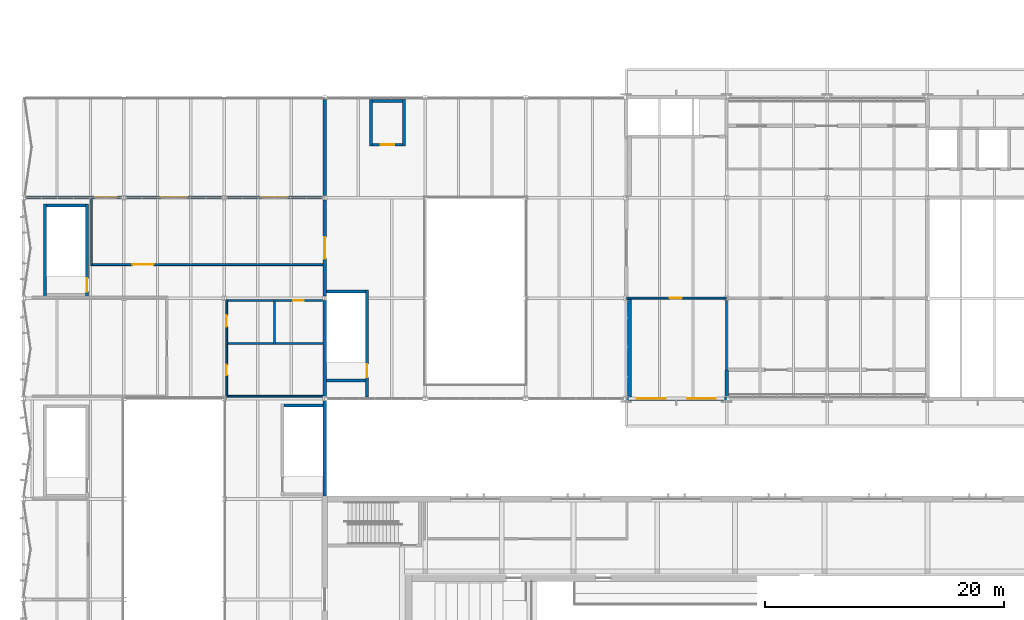
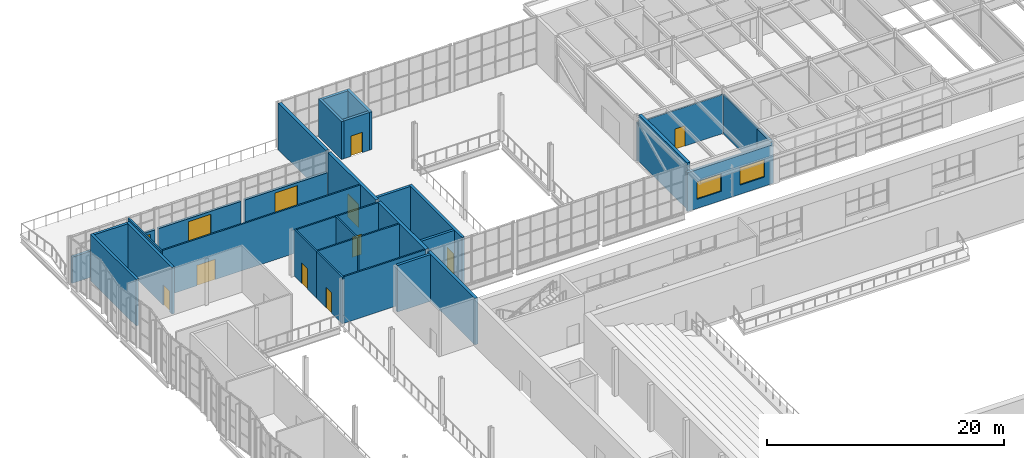
# One storey, part 77 of 116: 32 walls, 12 doors, 2 windows, 14 openings.
"""IFC4 building model written with IfcOpenShell, lengths in metres."""

from ifc_helpers import new_model, si_unit, direction, frame, frame_2d, origin, place, context, subcontext, project, spatial, rectangle, extrude, material, layer, layer_set, type_object, element, fill, save


model = new_model("IFC4")

# Units and contexts
model_context = context("Model", 3, precision=1e-05, world=origin(), true_north=direction((0.0, 1.0)))
body_context = subcontext(model_context, "Body", "Model", "MODEL_VIEW")
ifc_project = project(units=[si_unit("LENGTHUNIT", "METRE"), si_unit("AREAUNIT", "SQUARE_METRE"), si_unit("VOLUMEUNIT", "CUBIC_METRE"), si_unit("PLANEANGLEUNIT", "RADIAN"), si_unit("MASSUNIT", "GRAM", prefix="KILO")], contexts=[model_context])

# Site, building, storey
site_placement = place(None, origin())
site = spatial("IfcSite", under=ifc_project, at=site_placement, CompositionType="ELEMENT")
building_placement = place(site_placement, origin())
building = spatial("IfcBuilding", under=site, at=building_placement, Name="Ljudholm Concert House", CompositionType="ELEMENT")
storey_placement = place(building_placement, frame((0.0, 0.0, 10.199951171875)))
storey = spatial("IfcBuildingStorey", under=building, at=storey_placement, Name="L02", CompositionType="ELEMENT", Elevation=10.199951171875)

# Wall
ifc_material_1 = material(Name="Gypsum board on steel studs", Category="steel")
ifc_layer_1 = layer(ifc_material_1, 0.14990234375)
ifc_layer_set_1 = layer_set([ifc_layer_1], Name="Gypsum board on steel studs")
wall_type_1 = type_object("IfcWallType", Name="GYPSUM PARTITION 150", PredefinedType="PARTITIONING", material=ifc_layer_set_1)
wall_1_placement = place(storey_placement, frame((62.800048828125, 107.199951171875, 0.0), z_axis=(0.0, 0.0, 1.0), x_axis=(0.0, 1.0, 0.0)))
element("IfcWall", 1, at=wall_1_placement, inside=storey, type_object=wall_type_1, Name="Partition", PredefinedType="PARTITIONING", context=body_context, shape_type="SweptSolid", body=[
    extrude(rectangle(XDim=5.822265625, YDim=0.14990234375, at=frame_2d((2.9111328125, 0.0))), origin(), (0.0, 0.0, 1.0), 4.086669921875),
])

# Wall, opening, door
wall_2_placement = place(storey_placement, frame((54.405517578125, 113.199951171875, 0.0), z_axis=(0.0, 0.0, 1.0), x_axis=(1.0, 0.0, 0.0)))
wall_2 = element("IfcWall", 2, at=wall_2_placement, inside=storey, type_object=wall_type_1, Name="Partition", PredefinedType="PARTITIONING", context=body_context, shape_type="SweptSolid", body=[
    extrude(rectangle(XDim=8.400146484375, YDim=0.14990234375, at=frame_2d((4.2001953125, 0.0))), origin(), (0.0, 0.0, 1.0), 4.008056640625),
])
opening_1_placement = place(wall_2_placement, frame((3.64453125, 0.0, 0.0)))
opening_1 = element("IfcOpeningElement", 3, at=opening_1_placement, cuts=wall_2, Name="Opening D-R02-008", PredefinedType="OPENING", context=body_context, shape_type="SweptSolid", body=[
    extrude(rectangle(XDim=1.0, YDim=2.10009765625, at=frame_2d((0.5, 1.050048828125))), frame((0.0, 0.0849609375, 0.0), z_axis=(0.0, -1.0, 0.0), x_axis=(1.0, 0.0, 0.0)), (0.0, 0.0, 1.0), 0.169921875),
])
ifc_material_2 = material(Name="Hollow metal door in steel frame", Category="steel")
door_type_1 = type_object("IfcDoorType", Name="SWING DOOR 1000x2100", OperationType="SINGLE_SWING_LEFT", PredefinedType="DOOR", material=ifc_material_2)
door_1_placement = place(opening_1_placement, frame((1.0, 0.0, 0.0), z_axis=(0.0, 0.0, 1.0), x_axis=(-1.0, 0.0, 0.0)))
door_1 = element("IfcDoor", 4, at=door_1_placement, inside=storey, type_object=door_type_1, Name="Door", OperationType="SINGLE_SWING_RIGHT", OverallHeight=2.10009765625, OverallWidth=1.0, PredefinedType="DOOR", context=body_context, shape_type="SweptSolid", body=[
    extrude(rectangle(XDim=1.0, YDim=2.10009765625, at=frame_2d((0.5, 1.050048828125))), frame((0.0, 0.02490234375, 0.0), z_axis=(0.0, -1.0, 0.0), x_axis=(1.0, 0.0, 0.0)), (0.0, 0.0, 1.0), 0.050048828125),
])
fill(opening_1, door_1)

wall_3_placement = place(storey_placement, frame((21.0, 104.925048828125, 0.0), z_axis=(0.0, 0.0, 1.0), x_axis=(0.0, 1.0, 0.0)))
wall_3 = element("IfcWall", 5, at=wall_3_placement, inside=storey, type_object=wall_type_1, Name="Room wall", PredefinedType="PARTITIONING", context=body_context, shape_type="SweptSolid", body=[
    extrude(rectangle(XDim=4.550048828125, YDim=0.14990234375, at=frame_2d((2.27490234375, 0.0))), origin(), (0.0, 0.0, 1.0), 4.800048828125),
])
opening_2_placement = place(wall_3_placement, frame((1.824951171875, 0.0, 0.0)))
opening_2 = element("IfcOpeningElement", 6, at=opening_2_placement, cuts=wall_3, Name="Opening D-S02-019", PredefinedType="OPENING", context=body_context, shape_type="SweptSolid", body=[
    extrude(rectangle(XDim=0.89990234375, YDim=2.10009765625, at=frame_2d((0.449951171875, 1.050048828125))), frame((0.0, 0.0849609375, 0.0), z_axis=(0.0, -1.0, 0.0), x_axis=(1.0, 0.0, 0.0)), (0.0, 0.0, 1.0), 0.169921875),
])
ifc_material_3 = material(Name="Hollow metal door in steel frame", Category="steel")
door_type_2 = type_object("IfcDoorType", Name="SWING DOOR 900x2100", OperationType="SINGLE_SWING_LEFT", PredefinedType="DOOR", material=ifc_material_3)
door_2_placement = place(opening_2_placement, frame((0.89990234375, 0.0, 0.0), z_axis=(0.0, 0.0, 1.0), x_axis=(-1.0, 0.0, 0.0)))
door_2 = element("IfcDoor", 7, at=door_2_placement, inside=storey, type_object=door_type_2, Name="Toilets door", OperationType="SINGLE_SWING_LEFT", OverallHeight=2.10009765625, OverallWidth=0.89990234375, PredefinedType="DOOR", context=body_context, shape_type="SweptSolid", body=[
    extrude(rectangle(XDim=0.89990234375, YDim=2.10009765625, at=frame_2d((0.449951171875, 1.050048828125))), frame((0.0, 0.02490234375, 0.0), z_axis=(0.0, -1.0, 0.0), x_axis=(1.0, 0.0, 0.0)), (0.0, 0.0, 1.0), 0.050048828125),
])
fill(opening_2, door_2)

# Walls
for number, where, z_axis, x_axis, name in (
    (8, (21.074951171875, 105.0, 0.0), (0.0, 0.0, 1.0), (1.0, 0.0, 0.0), "Room wall"),
    (9, (21.074951171875, 109.39990234375, 0.0), (0.0, 0.0, 1.0), (1.0, 0.0, 0.0), "Room wall"),
):
    element("IfcWall", number, at=place(storey_placement, frame(where, z_axis=z_axis, x_axis=x_axis)), inside=storey, type_object=wall_type_1, Name=name, PredefinedType="PARTITIONING", context=body_context, shape_type="SweptSolid", body=[
        extrude(rectangle(XDim=7.97509765625, YDim=0.14990234375, at=frame_2d((3.987548828125, 0.0))), origin(), (0.0, 0.0, 1.0), 4.800048828125),
    ])

# Wall, opening, door
wall_4_placement = place(storey_placement, frame((21.0, 109.324951171875, 0.0), z_axis=(0.0, 0.0, 1.0), x_axis=(0.0, 1.0, 0.0)))
wall_4 = element("IfcWall", 10, at=wall_4_placement, inside=storey, type_object=wall_type_1, Name="Room wall", PredefinedType="PARTITIONING", context=body_context, shape_type="SweptSolid", body=[
    extrude(rectangle(XDim=3.75, YDim=0.14990234375, at=frame_2d((1.875, 0.0))), origin(), (0.0, 0.0, 1.0), 4.800048828125),
])
opening_3_placement = place(wall_4_placement, frame((1.5, 0.0, 0.0)))
opening_3 = element("IfcOpeningElement", 11, at=opening_3_placement, cuts=wall_4, Name="Opening D-S02-020", PredefinedType="OPENING", context=body_context, shape_type="SweptSolid", body=[
    extrude(rectangle(XDim=0.949951171875, YDim=2.10009765625, at=frame_2d((0.47509765625, 1.050048828125))), frame((0.0, 0.0849609375, 0.0), z_axis=(0.0, -1.0, 0.0), x_axis=(1.0, 0.0, 0.0)), (0.0, 0.0, 1.0), 0.169921875),
])
ifc_material_4 = material(Name="Hollow metal door in steel frame", Category="steel")
door_type_3 = type_object("IfcDoorType", Name="SWING DOOR 950x2100", OperationType="SINGLE_SWING_LEFT", PredefinedType="DOOR", material=ifc_material_4)
door_3_placement = place(opening_3_placement, frame((0.949951171875, 0.0, 0.0), z_axis=(0.0, 0.0, 1.0), x_axis=(-1.0, 0.0, 0.0)))
door_3 = element("IfcDoor", 12, at=door_3_placement, inside=storey, type_object=door_type_3, Name="Accessible WC door", OperationType="SINGLE_SWING_LEFT", OverallHeight=2.10009765625, OverallWidth=0.949951171875, PredefinedType="DOOR", context=body_context, shape_type="SweptSolid", body=[
    extrude(rectangle(XDim=0.949951171875, YDim=2.10009765625, at=frame_2d((0.47509765625, 1.050048828125))), frame((0.0, 0.02490234375, 0.0), z_axis=(0.0, -1.0, 0.0), x_axis=(1.0, 0.0, 0.0)), (0.0, 0.0, 1.0), 0.050048828125),
])
fill(opening_3, door_3)

# Walls
wall_5_placement = place(storey_placement, frame((25.0, 109.324951171875, 0.0), z_axis=(0.0, 0.0, 1.0), x_axis=(0.0, 1.0, 0.0)))
element("IfcWall", 13, at=wall_5_placement, inside=storey, type_object=wall_type_1, Name="Room wall", PredefinedType="PARTITIONING", context=body_context, shape_type="SweptSolid", body=[
    extrude(rectangle(XDim=3.75, YDim=0.14990234375, at=frame_2d((1.875, 0.0))), origin(), (0.0, 0.0, 1.0), 4.800048828125),
])
wall_6_placement = place(storey_placement, frame((21.074951171875, 113.0, 0.0), z_axis=(0.0, 0.0, 1.0), x_axis=(1.0, 0.0, 0.0)))
element("IfcWall", 14, at=wall_6_placement, inside=storey, type_object=wall_type_1, Name="Room wall", PredefinedType="PARTITIONING", context=body_context, shape_type="SweptSolid", body=[
    extrude(rectangle(XDim=3.85009765625, YDim=0.14990234375, at=frame_2d((1.925048828125, 0.0))), origin(), (0.0, 0.0, 1.0), 4.800048828125),
])

# Wall, opening, door
wall_7_placement = place(storey_placement, frame((25.074951171875, 113.0, 0.0), z_axis=(0.0, 0.0, 1.0), x_axis=(1.0, 0.0, 0.0)))
wall_7 = element("IfcWall", 15, at=wall_7_placement, inside=storey, type_object=wall_type_1, Name="Room wall", PredefinedType="PARTITIONING", context=body_context, shape_type="SweptSolid", body=[
    extrude(rectangle(XDim=3.97509765625, YDim=0.14990234375, at=frame_2d((1.987548828125, 0.0))), origin(), (0.0, 0.0, 1.0), 4.800048828125),
])
opening_4_placement = place(wall_7_placement, frame((1.47509765625, 0.0, 0.0)))
opening_4 = element("IfcOpeningElement", 16, at=opening_4_placement, cuts=wall_7, Name="Opening D-S02-021", PredefinedType="OPENING", context=body_context, shape_type="SweptSolid", body=[
    extrude(rectangle(XDim=0.89990234375, YDim=2.10009765625, at=frame_2d((0.449951171875, 1.050048828125))), frame((0.0, 0.0849609375, 0.0), z_axis=(0.0, -1.0, 0.0), x_axis=(1.0, 0.0, 0.0)), (0.0, 0.0, 1.0), 0.169921875),
])
door_4_placement = place(opening_4_placement, frame((0.89990234375, 0.0, 0.0), z_axis=(0.0, 0.0, 1.0), x_axis=(-1.0, 0.0, 0.0)))
door_4 = element("IfcDoor", 17, at=door_4_placement, inside=storey, type_object=door_type_2, Name="Cleaner's Store door", OperationType="SINGLE_SWING_LEFT", OverallHeight=2.10009765625, OverallWidth=0.89990234375, PredefinedType="DOOR", context=body_context, shape_type="SweptSolid", body=[
    extrude(rectangle(XDim=0.89990234375, YDim=2.10009765625, at=frame_2d((0.449951171875, 1.050048828125))), frame((0.0, 0.02490234375, 0.0), z_axis=(0.0, -1.0, 0.0), x_axis=(1.0, 0.0, 0.0)), (0.0, 0.0, 1.0), 0.050048828125),
])
fill(opening_4, door_4)

# Wall
wall_8_placement = place(storey_placement, frame((9.699951171875, 115.925048828125, 0.0), z_axis=(0.0, 0.0, 1.0), x_axis=(0.0, 1.0, 0.0)))
element("IfcWall", 18, at=wall_8_placement, inside=storey, type_object=wall_type_1, Name="Room wall", PredefinedType="PARTITIONING", context=body_context, shape_type="SweptSolid", body=[
    extrude(rectangle(XDim=5.625, YDim=0.14990234375, at=frame_2d((2.8125, 0.0))), origin(), (0.0, 0.0, 1.0), 4.800048828125),
])

# Wall, opening, door
wall_9_placement = place(storey_placement, frame((9.77490234375, 116.0, 0.0), z_axis=(0.0, 0.0, 1.0), x_axis=(1.0, 0.0, 0.0)))
wall_9 = element("IfcWall", 19, at=wall_9_placement, inside=storey, type_object=wall_type_1, Name="Room wall", PredefinedType="PARTITIONING", context=body_context, shape_type="SweptSolid", body=[
    extrude(rectangle(XDim=19.275146484375, YDim=0.14990234375, at=frame_2d((9.6376953125, 0.0))), origin(), (0.0, 0.0, 1.0), 4.800048828125),
])
opening_5_placement = place(wall_9_placement, frame((3.324951171875, 0.0, 0.0)))
opening_5 = element("IfcOpeningElement", 20, at=opening_5_placement, cuts=wall_9, Name="Opening D-S02-022", PredefinedType="OPENING", context=body_context, shape_type="SweptSolid", body=[
    extrude(rectangle(XDim=1.800048828125, YDim=2.10009765625, at=frame_2d((0.89990234375, 1.050048828125))), frame((0.0, 0.0849609375, 0.0), z_axis=(0.0, -1.0, 0.0), x_axis=(1.0, 0.0, 0.0)), (0.0, 0.0, 1.0), 0.169921875),
])
ifc_material_5 = material(Name="Hollow metal door in steel frame", Category="steel")
door_type_4 = type_object("IfcDoorType", Name="DOUBLE DOOR 1800x2100", OperationType="DOUBLE_DOOR_SINGLE_SWING", PredefinedType="DOOR", material=ifc_material_5)
door_5_placement = place(opening_5_placement, frame((1.800048828125, 0.0, 0.0), z_axis=(0.0, 0.0, 1.0), x_axis=(-1.0, 0.0, 0.0)))
door_5 = element("IfcDoor", 21, at=door_5_placement, inside=storey, type_object=door_type_4, Name="Terrace Lounge door", OperationType="DOUBLE_DOOR_SINGLE_SWING", OverallHeight=2.10009765625, OverallWidth=1.800048828125, PredefinedType="DOOR", context=body_context, shape_type="SweptSolid", body=[
    extrude(rectangle(XDim=1.800048828125, YDim=2.10009765625, at=frame_2d((0.89990234375, 1.050048828125))), frame((0.0, 0.02490234375, 0.0), z_axis=(0.0, -1.0, 0.0), x_axis=(1.0, 0.0, 0.0)), (0.0, 0.0, 1.0), 0.050048828125),
])
fill(opening_5, door_5)

# Wall
ifc_material_6 = material(Name="Concrete masonry unit f'm 13.8 MPa", Category="masonry")
ifc_layer_2 = layer(ifc_material_6, 0.300048828125)
ifc_layer_set_2 = layer_set([ifc_layer_2], Name="Concrete masonry unit f'm 13.8 MPa")
wall_type_2 = type_object("IfcWallType", Name="MASONRY WALL 300", PredefinedType="SOLIDWALL", material=ifc_layer_set_2)
wall_10_placement = place(storey_placement, frame((54.6796875, 104.949951171875, 0.0), z_axis=(0.0, 0.0, 1.0), x_axis=(0.0, 1.0, 0.0)))
element("IfcWall", 22, at=wall_10_placement, inside=storey, type_object=wall_type_2, Name="Separation wall (braced bay)", PredefinedType="SOLIDWALL", context=body_context, shape_type="SweptSolid", body=[
    extrude(rectangle(XDim=8.175048828125, YDim=0.300048828125, at=frame_2d((4.08740234375, 0.0))), origin(), (0.0, 0.0, 1.0), 4.800048828125),
])

# Wall, openings, windows
ifc_material_7 = material(Name="Precast concrete 5,000 psi", Category="concrete")
ifc_layer_3 = layer(ifc_material_7, 0.300048828125)
ifc_layer_set_3 = layer_set([ifc_layer_3], Name="Precast concrete 5,000 psi")
wall_type_3 = type_object("IfcWallType", Name="PRECAST PANEL WALL 300", PredefinedType="SOLIDWALL", material=ifc_layer_set_3)
wall_11_placement = place(storey_placement, frame((54.405517578125, 104.800048828125, 0.0), z_axis=(0.0, 0.0, 1.0), x_axis=(1.0, 0.0, 0.0)))
wall_11 = element("IfcWall", 23, at=wall_11_placement, inside=storey, type_object=wall_type_3, Name="Facade wall", PredefinedType="SOLIDWALL", context=body_context, shape_type="SweptSolid", body=[
    extrude(rectangle(XDim=8.388916015625, YDim=0.300048828125, at=frame_2d((4.1943359375, 0.0))), origin(), (0.0, 0.0, 1.0), 4.008056640625),
])
opening_6_placement = place(wall_11_placement, frame((0.89453125, 0.0, 0.949951171875)))
opening_6 = element("IfcOpeningElement", 24, at=opening_6_placement, cuts=wall_11, Name="Opening X-R02-001", PredefinedType="OPENING", context=body_context, shape_type="SweptSolid", body=[
    extrude(rectangle(XDim=2.39990234375, YDim=1.800048828125, at=frame_2d((1.199951171875, 0.89990234375))), frame((0.0, 0.159912109375, 0.0), z_axis=(0.0, -1.0, 0.0), x_axis=(1.0, 0.0, 0.0)), (0.0, 0.0, 1.0), 0.320068359375),
])
opening_7_placement = place(wall_11_placement, frame((5.094482421875, 0.0, 0.949951171875)))
opening_7 = element("IfcOpeningElement", 25, at=opening_7_placement, cuts=wall_11, Name="Opening X-R02-002", PredefinedType="OPENING", context=body_context, shape_type="SweptSolid", body=[
    extrude(rectangle(XDim=2.39990234375, YDim=1.800048828125, at=frame_2d((1.199951171875, 0.89990234375))), frame((0.0, 0.159912109375, 0.0), z_axis=(0.0, -1.0, 0.0), x_axis=(1.0, 0.0, 0.0)), (0.0, 0.0, 1.0), 0.320068359375),
])
ifc_material_8 = material(Name="Aluminium frame, impact glazing", Category="aluminium")
window_type = type_object("IfcWindowType", Name="CASEMENT WINDOW 2400x1800", PartitioningType="DOUBLE_PANEL_VERTICAL", PredefinedType="WINDOW", material=ifc_material_8)
window_1_placement = place(opening_6_placement, origin())
window_1 = element("IfcWindow", 26, at=window_1_placement, inside=storey, type_object=window_type, Name="Window", OverallHeight=1.800048828125, OverallWidth=2.39990234375, PartitioningType="DOUBLE_PANEL_VERTICAL", PredefinedType="WINDOW", context=body_context, shape_type="SweptSolid", body=[
    extrude(rectangle(XDim=2.39990234375, YDim=1.800048828125, at=frame_2d((1.199951171875, 0.89990234375))), frame((0.0, 0.030029296875, 0.0), z_axis=(0.0, -1.0, 0.0), x_axis=(1.0, 0.0, 0.0)), (0.0, 0.0, 1.0), 0.06005859375),
])
fill(opening_6, window_1)
window_2_placement = place(opening_7_placement, origin())
window_2 = element("IfcWindow", 27, at=window_2_placement, inside=storey, type_object=window_type, Name="Window", OverallHeight=1.800048828125, OverallWidth=2.39990234375, PartitioningType="DOUBLE_PANEL_VERTICAL", PredefinedType="WINDOW", context=body_context, shape_type="SweptSolid", body=[
    extrude(rectangle(XDim=2.39990234375, YDim=1.800048828125, at=frame_2d((1.199951171875, 0.89990234375))), frame((0.0, 0.030029296875, 0.0), z_axis=(0.0, -1.0, 0.0), x_axis=(1.0, 0.0, 0.0)), (0.0, 0.0, 1.0), 0.06005859375),
])
fill(opening_7, window_2)

# Walls
wall_12_placement = place(storey_placement, frame((62.800048828125, 104.977783203125, 0.0), z_axis=(0.0, 0.0, 1.0), x_axis=(0.0, 1.0, 0.0)))
element("IfcWall", 28, at=wall_12_placement, inside=storey, type_object=wall_type_3, Name="Loggia wall", PredefinedType="SOLIDWALL", context=body_context, shape_type="SweptSolid", body=[
    extrude(rectangle(XDim=2.22216796875, YDim=0.300048828125, at=frame_2d((1.111083984375, 0.0))), origin(), (0.0, 0.0, 1.0), 4.086669921875),
])
ifc_material_9 = material(Name="Concrete 6,500 psi", Category="concrete")
ifc_layer_4 = layer(ifc_material_9, 0.25)
ifc_layer_set_4 = layer_set([ifc_layer_4], Name="Concrete 6,500 psi")
wall_type_4 = type_object("IfcWallType", Name="RC CORE WALL 250", PredefinedType="SHEAR", material=ifc_layer_set_4)
wall_13_placement = place(storey_placement, frame((25.800048828125, 104.22509765625, 0.0), z_axis=(0.0, 0.0, 1.0), x_axis=(1.0, 0.0, 0.0)))
element("IfcWall", 29, at=wall_13_placement, inside=storey, type_object=wall_type_4, Name="Stair enclosure wall", PredefinedType="SHEAR", context=body_context, shape_type="SweptSolid", body=[
    extrude(rectangle(XDim=3.25, YDim=0.25, at=frame_2d((1.625, 0.0))), origin(), (0.0, 0.0, 1.0), 4.800048828125),
])
wall_14_placement = place(storey_placement, frame((5.824951171875, 113.35009765625, 0.0), z_axis=(0.0, 0.0, 1.0), x_axis=(0.0, 1.0, 0.0)))
element("IfcWall", 30, at=wall_14_placement, inside=storey, type_object=wall_type_4, Name="Stair enclosure wall", PredefinedType="SHEAR", context=body_context, shape_type="SweptSolid", body=[
    extrude(rectangle(XDim=7.699951171875, YDim=0.25, at=frame_2d((3.85009765625, 0.0))), origin(), (0.0, 0.0, 1.0), 4.800048828125),
])

# Wall, opening, door
wall_15_placement = place(storey_placement, frame((9.324951171875, 113.35009765625, 0.0), z_axis=(0.0, 0.0, 1.0), x_axis=(0.0, 1.0, 0.0)))
wall_15 = element("IfcWall", 31, at=wall_15_placement, inside=storey, type_object=wall_type_4, Name="Stair enclosure wall", PredefinedType="SHEAR", context=body_context, shape_type="SweptSolid", body=[
    extrude(rectangle(XDim=7.699951171875, YDim=0.25, at=frame_2d((3.85009765625, 0.0))), origin(), (0.0, 0.0, 1.0), 4.800048828125),
])
opening_8_placement = place(wall_15_placement, frame((0.39990234375, 0.0, 0.0)))
opening_8 = element("IfcOpeningElement", 32, at=opening_8_placement, cuts=wall_15, Name="Opening D-S02-010", PredefinedType="OPENING", context=body_context, shape_type="SweptSolid", body=[
    extrude(rectangle(XDim=1.10009765625, YDim=2.10009765625, at=frame_2d((0.550048828125, 1.050048828125))), frame((0.0, 0.135009765625, 0.0), z_axis=(0.0, -1.0, 0.0), x_axis=(1.0, 0.0, 0.0)), (0.0, 0.0, 1.0), 0.27001953125),
])
ifc_material_10 = material(Name="Hollow metal door in steel frame", Category="steel")
door_type_5 = type_object("IfcDoorType", Name="SWING DOOR 1100x2100", OperationType="SINGLE_SWING_LEFT", PredefinedType="DOOR", material=ifc_material_10)
door_6_placement = place(opening_8_placement, origin())
door_6 = element("IfcDoor", 33, at=door_6_placement, inside=storey, type_object=door_type_5, Name="Stair door", OperationType="SINGLE_SWING_LEFT", OverallHeight=2.10009765625, OverallWidth=1.10009765625, PredefinedType="DOOR", context=body_context, shape_type="SweptSolid", body=[
    extrude(rectangle(XDim=1.10009765625, YDim=2.10009765625, at=frame_2d((0.550048828125, 1.050048828125))), frame((0.0, 0.02490234375, 0.0), z_axis=(0.0, -1.0, 0.0), x_axis=(1.0, 0.0, 0.0)), (0.0, 0.0, 1.0), 0.050048828125),
])
fill(opening_8, door_6)

# Wall
wall_16_placement = place(storey_placement, frame((5.949951171875, 120.925048828125, 0.0), z_axis=(0.0, 0.0, 1.0), x_axis=(1.0, 0.0, 0.0)))
element("IfcWall", 34, at=wall_16_placement, inside=storey, type_object=wall_type_4, Name="Stair enclosure wall", PredefinedType="SHEAR", context=body_context, shape_type="SweptSolid", body=[
    extrude(rectangle(XDim=3.25, YDim=0.25, at=frame_2d((1.625, 0.0))), origin(), (0.0, 0.0, 1.0), 4.800048828125),
])

# Wall, opening, door
wall_17_placement = place(storey_placement, frame((32.72509765625, 104.949951171875, 0.0), z_axis=(0.0, 0.0, 1.0), x_axis=(0.0, 1.0, 0.0)))
wall_17 = element("IfcWall", 35, at=wall_17_placement, inside=storey, type_object=wall_type_4, Name="Stair enclosure wall", PredefinedType="SHEAR", context=body_context, shape_type="SweptSolid", body=[
    extrude(rectangle(XDim=8.929931640625, YDim=0.25, at=frame_2d((4.46484375, 0.0))), origin(), (0.0, 0.0, 1.0), 4.800048828125),
])
opening_9_placement = place(wall_17_placement, frame((1.6298828125, 0.0, 0.0)))
opening_9 = element("IfcOpeningElement", 36, at=opening_9_placement, cuts=wall_17, Name="Opening D-G02-001", PredefinedType="OPENING", context=body_context, shape_type="SweptSolid", body=[
    extrude(rectangle(XDim=1.10009765625, YDim=2.10009765625, at=frame_2d((0.550048828125, 1.050048828125))), frame((0.0, 0.135009765625, 0.0), z_axis=(0.0, -1.0, 0.0), x_axis=(1.0, 0.0, 0.0)), (0.0, 0.0, 1.0), 0.27001953125),
])
door_7_placement = place(opening_9_placement, origin())
door_7 = element("IfcDoor", 37, at=door_7_placement, inside=storey, type_object=door_type_5, Name="Stair door", OperationType="SINGLE_SWING_LEFT", OverallHeight=2.10009765625, OverallWidth=1.10009765625, PredefinedType="DOOR", context=body_context, shape_type="SweptSolid", body=[
    extrude(rectangle(XDim=1.10009765625, YDim=2.10009765625, at=frame_2d((0.550048828125, 1.050048828125))), frame((0.0, 0.02490234375, 0.0), z_axis=(0.0, -1.0, 0.0), x_axis=(1.0, 0.0, 0.0)), (0.0, 0.0, 1.0), 0.050048828125),
])
fill(opening_9, door_7)

# Walls
for number, where, z_axis, x_axis, name in (
    (38, (29.35009765625, 113.7548828125, 0.0), (0.0, 0.0, 1.0), (1.0, 0.0, 0.0), "Stair enclosure wall"),
    (39, (29.35009765625, 106.304931640625, 0.0), (0.0, 0.0, 1.0), (1.0, 0.0, 0.0), "Stair enclosure wall"),
):
    element("IfcWall", number, at=place(storey_placement, frame(where, z_axis=z_axis, x_axis=x_axis)), inside=storey, type_object=wall_type_4, Name=name, PredefinedType="SHEAR", context=body_context, shape_type="SweptSolid", body=[
        extrude(rectangle(XDim=3.25, YDim=0.25, at=frame_2d((1.625, 0.0))), origin(), (0.0, 0.0, 1.0), 4.800048828125),
    ])
ifc_material_11 = material(Name="Concrete 6,500 psi", Category="concrete")
ifc_layer_5 = layer(ifc_material_11, 0.25)
ifc_layer_set_5 = layer_set([ifc_layer_5], Name="Concrete 6,500 psi")
wall_type_5 = type_object("IfcWallType", Name="RC WALL 250", PredefinedType="SOLIDWALL", material=ifc_layer_set_5)
for number, where, z_axis, x_axis, name in (
    (40, (33.074951171875, 125.89990234375, 0.0), (0.0, 0.0, 1.0), (0.0, 1.0, 0.0), "Lift shaft wall"),
    (41, (35.824951171875, 125.89990234375, 0.0), (0.0, 0.0, 1.0), (0.0, 1.0, 0.0), "Lift shaft wall"),
):
    element("IfcWall", number, at=place(storey_placement, frame(where, z_axis=z_axis, x_axis=x_axis)), inside=storey, type_object=wall_type_5, Name=name, PredefinedType="SOLIDWALL", context=body_context, shape_type="SweptSolid", body=[
        extrude(rectangle(XDim=3.900146484375, YDim=0.25, at=frame_2d((1.9501953125, 0.0))), origin(), (0.0, 0.0, 1.0), 3.900146484375),
    ])

# Wall, opening, door
wall_18_placement = place(storey_placement, frame((33.199951171875, 126.02490234375, 0.0), z_axis=(0.0, 0.0, 1.0), x_axis=(1.0, 0.0, 0.0)))
wall_18 = element("IfcWall", 42, at=wall_18_placement, inside=storey, type_object=wall_type_5, Name="Lift shaft wall", PredefinedType="SOLIDWALL", context=body_context, shape_type="SweptSolid", body=[
    extrude(rectangle(XDim=2.5, YDim=0.25, at=frame_2d((1.25, 0.0))), origin(), (0.0, 0.0, 1.0), 3.900146484375),
])
opening_10_placement = place(wall_18_placement, frame((0.699951171875, 0.0, 0.0)))
opening_10 = element("IfcOpeningElement", 43, at=opening_10_placement, cuts=wall_18, Name="Opening LD-G02-002", PredefinedType="OPENING", context=body_context, shape_type="SweptSolid", body=[
    extrude(rectangle(XDim=1.10009765625, YDim=2.10009765625, at=frame_2d((0.550048828125, 1.050048828125))), frame((0.0, 0.135009765625, 0.0), z_axis=(0.0, -1.0, 0.0), x_axis=(1.0, 0.0, 0.0)), (0.0, 0.0, 1.0), 0.27001953125),
])
ifc_material_12 = material(Name="Stainless steel sliding landing door, fire-rated", Category="steel")
door_type_6 = type_object("IfcDoorType", Name="LIFT DOOR 1100x2100", OperationType="SLIDING_TO_LEFT", PredefinedType="DOOR", material=ifc_material_12)
door_8_placement = place(opening_10_placement, origin())
door_8 = element("IfcDoor", 44, at=door_8_placement, inside=storey, type_object=door_type_6, Name="Lift landing door", OperationType="SLIDING_TO_LEFT", OverallHeight=2.10009765625, OverallWidth=1.10009765625, PredefinedType="DOOR", context=body_context, shape_type="SweptSolid", body=[
    extrude(rectangle(XDim=1.10009765625, YDim=2.10009765625, at=frame_2d((0.550048828125, 1.050048828125))), frame((0.0, 0.02490234375, 0.0), z_axis=(0.0, -1.0, 0.0), x_axis=(1.0, 0.0, 0.0)), (0.0, 0.0, 1.0), 0.050048828125),
])
fill(opening_10, door_8)

# Walls
wall_19_placement = place(storey_placement, frame((33.199951171875, 129.675048828125, 0.0), z_axis=(0.0, 0.0, 1.0), x_axis=(1.0, 0.0, 0.0)))
element("IfcWall", 45, at=wall_19_placement, inside=storey, type_object=wall_type_5, Name="Lift shaft wall", PredefinedType="SOLIDWALL", context=body_context, shape_type="SweptSolid", body=[
    extrude(rectangle(XDim=2.5, YDim=0.25, at=frame_2d((1.25, 0.0))), origin(), (0.0, 0.0, 1.0), 3.900146484375),
])
ifc_material_13 = material(Name="Concrete 6,500 psi", Category="concrete")
ifc_layer_6 = layer(ifc_material_13, 0.300048828125)
ifc_layer_set_6 = layer_set([ifc_layer_6], Name="Concrete 6,500 psi")
wall_type_6 = type_object("IfcWallType", Name="RC WALL 300", PredefinedType="SOLIDWALL", material=ifc_layer_set_6)
wall_20_placement = place(storey_placement, frame((29.199951171875, 104.977783203125, 0.0), z_axis=(0.0, 0.0, 1.0), x_axis=(0.0, 1.0, 0.0)))
element("IfcWall", 46, at=wall_20_placement, inside=storey, type_object=wall_type_6, Name="Winter garden separation wall", PredefinedType="SOLIDWALL", context=body_context, shape_type="SweptSolid", body=[
    extrude(rectangle(XDim=8.04443359375, YDim=0.300048828125, at=frame_2d((4.022216796875, 0.0))), origin(), (0.0, 0.0, 1.0), 4.800048828125),
])

# Wall, opening, door
wall_21_placement = place(storey_placement, frame((29.199951171875, 113.377685546875, 0.0), z_axis=(0.0, 0.0, 1.0), x_axis=(0.0, 1.0, 0.0)))
wall_21 = element("IfcWall", 47, at=wall_21_placement, inside=storey, type_object=wall_type_6, Name="Winter garden separation wall", PredefinedType="SOLIDWALL", context=body_context, shape_type="SweptSolid", body=[
    extrude(rectangle(XDim=8.04443359375, YDim=0.300048828125, at=frame_2d((4.022216796875, 0.0))), origin(), (0.0, 0.0, 1.0), 4.800048828125),
])
opening_11_placement = place(wall_21_placement, frame((3.122314453125, 0.0, 0.0)))
opening_11 = element("IfcOpeningElement", 48, at=opening_11_placement, cuts=wall_21, Name="Opening D-S02-004", PredefinedType="OPENING", context=body_context, shape_type="SweptSolid", body=[
    extrude(rectangle(XDim=1.800048828125, YDim=2.39990234375, at=frame_2d((0.89990234375, 1.199951171875))), frame((0.0, 0.159912109375, 0.0), z_axis=(0.0, -1.0, 0.0), x_axis=(1.0, 0.0, 0.0)), (0.0, 0.0, 1.0), 0.320068359375),
])
ifc_material_14 = material(Name="Hollow metal door in steel frame", Category="steel")
door_type_7 = type_object("IfcDoorType", Name="DOUBLE DOOR 1800x2400", OperationType="DOUBLE_DOOR_SINGLE_SWING", PredefinedType="DOOR", material=ifc_material_14)
door_9_placement = place(opening_11_placement, frame((1.800048828125, 0.0, 0.0), z_axis=(0.0, 0.0, 1.0), x_axis=(-1.0, 0.0, 0.0)))
door_9 = element("IfcDoor", 49, at=door_9_placement, inside=storey, type_object=door_type_7, Name="Winter garden door pair", OperationType="DOUBLE_DOOR_SINGLE_SWING", OverallHeight=2.39990234375, OverallWidth=1.800048828125, PredefinedType="DOOR", context=body_context, shape_type="SweptSolid", body=[
    extrude(rectangle(XDim=1.800048828125, YDim=2.39990234375, at=frame_2d((0.89990234375, 1.199951171875))), frame((0.0, 0.02490234375, 0.0), z_axis=(0.0, -1.0, 0.0), x_axis=(1.0, 0.0, 0.0)), (0.0, 0.0, 1.0), 0.050048828125),
])
fill(opening_11, door_9)

# Walls
wall_22_placement = place(storey_placement, frame((29.199951171875, 121.77783203125, 0.0), z_axis=(0.0, 0.0, 1.0), x_axis=(0.0, 1.0, 0.0)))
element("IfcWall", 50, at=wall_22_placement, inside=storey, type_object=wall_type_6, Name="Winter garden separation wall", PredefinedType="SOLIDWALL", context=body_context, shape_type="SweptSolid", body=[
    extrude(rectangle(XDim=8.04443359375, YDim=0.300048828125, at=frame_2d((4.022216796875, 0.0))), origin(), (0.0, 0.0, 1.0), 4.800048828125),
])
ifc_material_15 = material(Name="Concrete 6,500 psi", Category="concrete")
ifc_layer_7 = layer(ifc_material_15, 0.300048828125)
ifc_layer_set_7 = layer_set([ifc_layer_7], Name="Concrete 6,500 psi")
wall_type_7 = type_object("IfcWallType", Name="RC WALL 300 EXTERNAL", PredefinedType="SOLIDWALL", material=ifc_layer_set_7)
wall_23_placement = place(storey_placement, frame((29.199951171875, 96.64990234375, 0.0), z_axis=(0.0, 0.0, 1.0), x_axis=(0.0, 1.0, 0.0)))
element("IfcWall", 51, at=wall_23_placement, inside=storey, type_object=wall_type_7, Name="Stair enclosure wall", PredefinedType="SOLIDWALL", context=body_context, shape_type="SweptSolid", body=[
    extrude(rectangle(XDim=7.972412109375, YDim=0.300048828125, at=frame_2d((3.986328125, 0.0))), origin(), (0.0, 0.0, 1.0), 4.800048828125),
])

# Wall, opening, door
ifc_material_16 = material(Name="Aluminium cladding with timber-grain PVDF finish", Category="aluminium")
ifc_layer_8 = layer(ifc_material_16, 0.25)
ifc_layer_set_8 = layer_set([ifc_layer_8], Name="Aluminium cladding with timber-grain PVDF finish")
wall_type_8 = type_object("IfcWallType", Name="TIMBER-GRAIN ALUMINIUM CLAD WALL 250", PredefinedType="SOLIDWALL", material=ifc_layer_set_8)
wall_24_placement = place(storey_placement, frame((4.177734375, 121.60009765625, 0.0), z_axis=(0.0, 0.0, 1.0), x_axis=(1.0, 0.0, 0.0)))
wall_24 = element("IfcWall", 52, at=wall_24_placement, inside=storey, type_object=wall_type_8, Name="Terrace wall", PredefinedType="SOLIDWALL", context=body_context, shape_type="SweptSolid", body=[
    extrude(rectangle(XDim=8.04443359375, YDim=0.25, at=frame_2d((4.022216796875, 0.0))), origin(), (0.0, 0.0, 1.0), 2.699951171875),
])
opening_12_placement = place(wall_24_placement, frame((5.822265625, 0.0, 0.0)))
opening_12 = element("IfcOpeningElement", 53, at=opening_12_placement, cuts=wall_24, Name="Opening D-S02-001", PredefinedType="OPENING", context=body_context, shape_type="SweptSolid", body=[
    extrude(rectangle(XDim=1.800048828125, YDim=2.39990234375, at=frame_2d((0.89990234375, 1.199951171875))), frame((0.0, 0.135009765625, 0.0), z_axis=(0.0, -1.0, 0.0), x_axis=(1.0, 0.0, 0.0)), (0.0, 0.0, 1.0), 0.27001953125),
])
ifc_material_17 = material(Name="Aluminium frame with impact-rated laminated glass", Category="aluminium")
door_type_8 = type_object("IfcDoorType", Name="GLAZED ENTRANCE DOOR PAIR 1800x2400", OperationType="DOUBLE_DOOR_SINGLE_SWING", PredefinedType="DOOR", material=ifc_material_17)
door_10_placement = place(opening_12_placement, origin())
door_10 = element("IfcDoor", 54, at=door_10_placement, inside=storey, type_object=door_type_8, Name="Terrace door pair", OperationType="DOUBLE_DOOR_SINGLE_SWING", OverallHeight=2.39990234375, OverallWidth=1.800048828125, PredefinedType="DOOR", context=body_context, shape_type="SweptSolid", body=[
    extrude(rectangle(XDim=1.800048828125, YDim=2.39990234375, at=frame_2d((0.89990234375, 1.199951171875))), frame((0.0, 0.02490234375, 0.0), z_axis=(0.0, -1.0, 0.0), x_axis=(1.0, 0.0, 0.0)), (0.0, 0.0, 1.0), 0.050048828125),
])
fill(opening_12, door_10)

wall_25_placement = place(storey_placement, frame((12.577880859375, 121.60009765625, 0.0), z_axis=(0.0, 0.0, 1.0), x_axis=(1.0, 0.0, 0.0)))
wall_25 = element("IfcWall", 55, at=wall_25_placement, inside=storey, type_object=wall_type_8, Name="Terrace wall", PredefinedType="SOLIDWALL", context=body_context, shape_type="SweptSolid", body=[
    extrude(rectangle(XDim=8.04443359375, YDim=0.25, at=frame_2d((4.022216796875, 0.0))), origin(), (0.0, 0.0, 1.0), 2.699951171875),
])
opening_13_placement = place(wall_25_placement, frame((2.922119140625, 0.0, 0.0)))
opening_13 = element("IfcOpeningElement", 56, at=opening_13_placement, cuts=wall_25, Name="Opening D-S02-002", PredefinedType="OPENING", context=body_context, shape_type="SweptSolid", body=[
    extrude(rectangle(XDim=2.199951171875, YDim=2.39990234375, at=frame_2d((1.10009765625, 1.199951171875))), frame((0.0, 0.135009765625, 0.0), z_axis=(0.0, -1.0, 0.0), x_axis=(1.0, 0.0, 0.0)), (0.0, 0.0, 1.0), 0.27001953125),
])
ifc_material_18 = material(Name="Aluminium frame with impact-rated laminated glass", Category="aluminium")
door_type_9 = type_object("IfcDoorType", Name="GLAZED ENTRANCE DOOR PAIR 2200x2400", OperationType="DOUBLE_DOOR_SINGLE_SWING", PredefinedType="DOOR", material=ifc_material_18)
door_11_placement = place(opening_13_placement, origin())
door_11 = element("IfcDoor", 57, at=door_11_placement, inside=storey, type_object=door_type_9, Name="Terrace door pair", OperationType="DOUBLE_DOOR_SINGLE_SWING", OverallHeight=2.39990234375, OverallWidth=2.199951171875, PredefinedType="DOOR", context=body_context, shape_type="SweptSolid", body=[
    extrude(rectangle(XDim=2.199951171875, YDim=2.39990234375, at=frame_2d((1.10009765625, 1.199951171875))), frame((0.0, 0.02490234375, 0.0), z_axis=(0.0, -1.0, 0.0), x_axis=(1.0, 0.0, 0.0)), (0.0, 0.0, 1.0), 0.050048828125),
])
fill(opening_13, door_11)

wall_26_placement = place(storey_placement, frame((20.977783203125, 121.60009765625, 0.0), z_axis=(0.0, 0.0, 1.0), x_axis=(1.0, 0.0, 0.0)))
wall_26 = element("IfcWall", 58, at=wall_26_placement, inside=storey, type_object=wall_type_8, Name="Terrace wall", PredefinedType="SOLIDWALL", context=body_context, shape_type="SweptSolid", body=[
    extrude(rectangle(XDim=8.04443359375, YDim=0.25, at=frame_2d((4.022216796875, 0.0))), origin(), (0.0, 0.0, 1.0), 2.699951171875),
])
opening_14_placement = place(wall_26_placement, frame((2.922119140625, 0.0, 0.0)))
opening_14 = element("IfcOpeningElement", 59, at=opening_14_placement, cuts=wall_26, Name="Opening D-S02-003", PredefinedType="OPENING", context=body_context, shape_type="SweptSolid", body=[
    extrude(rectangle(XDim=2.199951171875, YDim=2.39990234375, at=frame_2d((1.10009765625, 1.199951171875))), frame((0.0, 0.135009765625, 0.0), z_axis=(0.0, -1.0, 0.0), x_axis=(1.0, 0.0, 0.0)), (0.0, 0.0, 1.0), 0.27001953125),
])
door_12_placement = place(opening_14_placement, origin())
door_12 = element("IfcDoor", 60, at=door_12_placement, inside=storey, type_object=door_type_9, Name="Terrace door pair", OperationType="DOUBLE_DOOR_SINGLE_SWING", OverallHeight=2.39990234375, OverallWidth=2.199951171875, PredefinedType="DOOR", context=body_context, shape_type="SweptSolid", body=[
    extrude(rectangle(XDim=2.199951171875, YDim=2.39990234375, at=frame_2d((1.10009765625, 1.199951171875))), frame((0.0, 0.02490234375, 0.0), z_axis=(0.0, -1.0, 0.0), x_axis=(1.0, 0.0, 0.0)), (0.0, 0.0, 1.0), 0.050048828125),
])
fill(opening_14, door_12)

save(model, "model.ifc")
